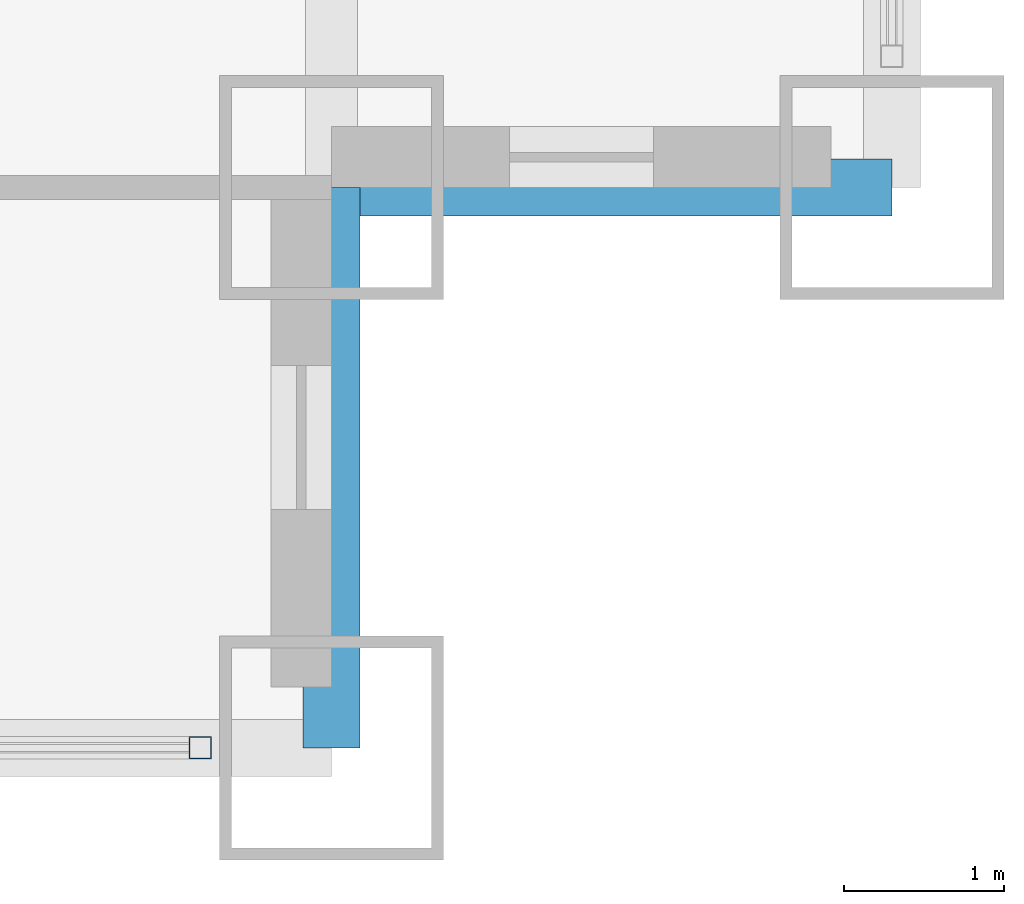
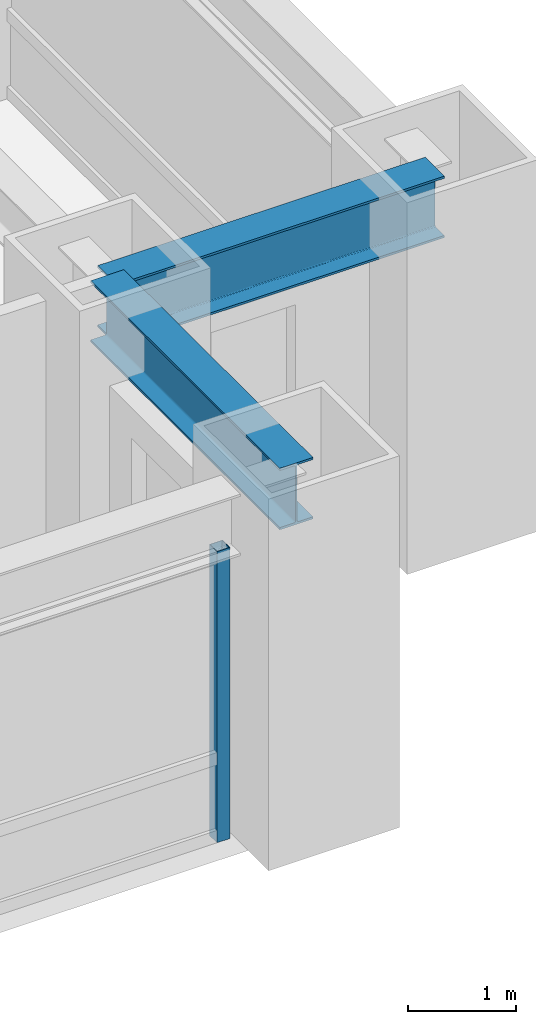
# One storey, part 10 of 27: 2 beams, 1 member, 1 element without a shape of its own.
"""IFC4 building model written with IfcOpenShell, lengths in metres."""

from ifc_helpers import new_model, si_unit, direction, frame, origin, origin_2d, place, context, subcontext, project, spatial, hollow_rectangle, i_section, extrude, source, transform, mapped, material, material_profile, profile_set, type_object, element, aggregate, save


model = new_model("IFC4")

# Units and contexts
model_context = context("Model", 3, precision=1e-05, world=origin(), true_north=direction((0.0, 1.0)))
body_context = subcontext(model_context, "Body", "Model", "MODEL_VIEW")
ifc_project = project(units=[si_unit("LENGTHUNIT", "METRE"), si_unit("AREAUNIT", "SQUARE_METRE"), si_unit("VOLUMEUNIT", "CUBIC_METRE"), si_unit("PLANEANGLEUNIT", "RADIAN"), si_unit("MASSUNIT", "GRAM", prefix="KILO")], contexts=[model_context])

# Site, building, storey
site_placement = place(None, origin())
site = spatial("IfcSite", under=ifc_project, at=site_placement, CompositionType="ELEMENT")
building_placement = place(site_placement, origin())
building = spatial("IfcBuilding", under=site, at=building_placement, Name="Khorayat Bourse Tower", CompositionType="ELEMENT")
storey_placement = place(building_placement, frame((0.0, 0.0, 53.60009765625)))
storey = spatial("IfcBuildingStorey", under=building, at=storey_placement, Name="L11", CompositionType="ELEMENT", Elevation=53.60009765625)

# Beams
ifc_material_1 = material(Name="Steel ASTM A992 Grade 50", Category="steel")
ifc_material_profile_1 = material_profile(ifc_material_1, i_section(OverallWidth=0.35498046875, OverallDepth=0.695068359375, WebThickness=0.015380859375, FlangeThickness=0.02490234375, FilletRadius=0.01806640625, at=origin_2d()), Name="W690X217")
ifc_profile_set_1 = profile_set([ifc_material_profile_1], Name="Steel ASTM A992 Grade 50")
beam_type = type_object("IfcBeamType", Name="BM-SPAN-690", PredefinedType="SPANDREL", material=ifc_profile_set_1)
shared_shape_1 = source(origin(), body_context, "Body", "SweptSolid", [
    extrude(i_section(OverallWidth=0.35498046875, OverallDepth=0.695068359375, WebThickness=0.015380859375, FlangeThickness=0.02490234375, FilletRadius=0.01806640625, at=origin_2d()), origin(), (0.0, 0.0, 1.0), 3.5),
])
for number, where, z_axis, x_axis, name in (
    (1, (28.5, -32.0, 3.59228515625), (0.0, 1.0, 0.0), (-1.0, 0.0, 0.0), "L11 BM-SPAN-690 BM-L11-SPN-032"),
    (2, (28.5, -28.5, 3.59228515625), (1.0, 0.0, 0.0), (0.0, 1.0, 0.0), "L11 BM-SPAN-690 BM-L11-SPN-033"),
):
    element("IfcBeam", number, at=place(storey_placement, frame(where, z_axis=z_axis, x_axis=x_axis)), inside=storey, type_object=beam_type, Name=name, PredefinedType="SPANDREL", context=body_context, shape_type="MappedRepresentation", body=[
        mapped(shared_shape_1, transform((0.0, 0.0, 0.0), scale=1.0)),
    ])

# Curtain wall, member
ifc_material_2 = material(Name="Aluminium EN AW-6063 T6", Category="aluminium")
curtain_wall_type = type_object("IfcCurtainWallType", Name="CW-SYS-02", PredefinedType="NOTDEFINED", material=ifc_material_2)
curtain_wall_placement = place(storey_placement, origin())
curtain_wall = element("IfcCurtainWall", 3, at=curtain_wall_placement, inside=storey, type_object=curtain_wall_type, Name="L11 Curtain Wall CW-L11-S1", PredefinedType="NOTDEFINED")
ifc_material_profile_2 = material_profile(ifc_material_2, hollow_rectangle(XDim=0.139892578125, YDim=0.139892578125, WallThickness=0.006103515625, at=origin_2d()), Name="ALU 140x140x6")
ifc_profile_set_2 = profile_set([ifc_material_profile_2], Name="Aluminium EN AW-6063 T6")
member_type = type_object("IfcMemberType", Name="CWM-VERT-140", PredefinedType="MULLION", material=ifc_profile_set_2)
shared_shape_2 = source(origin(), body_context, "Body", "SweptSolid", [
    extrude(hollow_rectangle(XDim=0.139892578125, YDim=0.139892578125, WallThickness=0.006103515625, at=origin_2d()), origin(), (0.0, 0.0, 1.0), 3.289794921875),
])
member_placement = place(storey_placement, frame((27.679931640625, -32.0, 0.0), z_axis=(0.0, 0.0, 1.0), x_axis=(0.0, 1.0, 0.0)))
member = element("IfcMember", 4, at=member_placement, type_object=member_type, Name="CW-L11-S1 Vertical Mullion 4", PredefinedType="MULLION", context=body_context, shape_type="MappedRepresentation", body=[
    mapped(shared_shape_2, transform((0.0, 0.0, 0.0), scale=1.0)),
])
aggregate(curtain_wall, [member])

save(model, "model.ifc")
